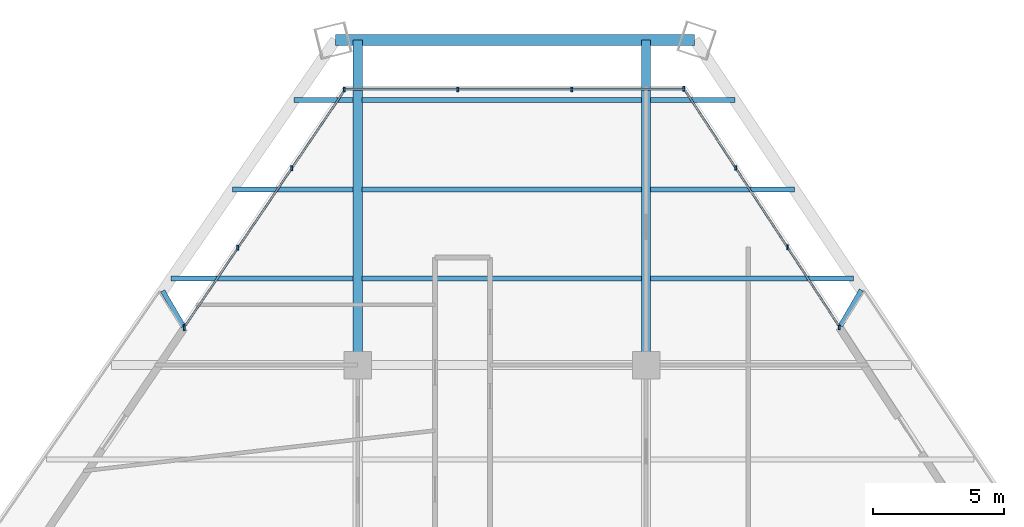
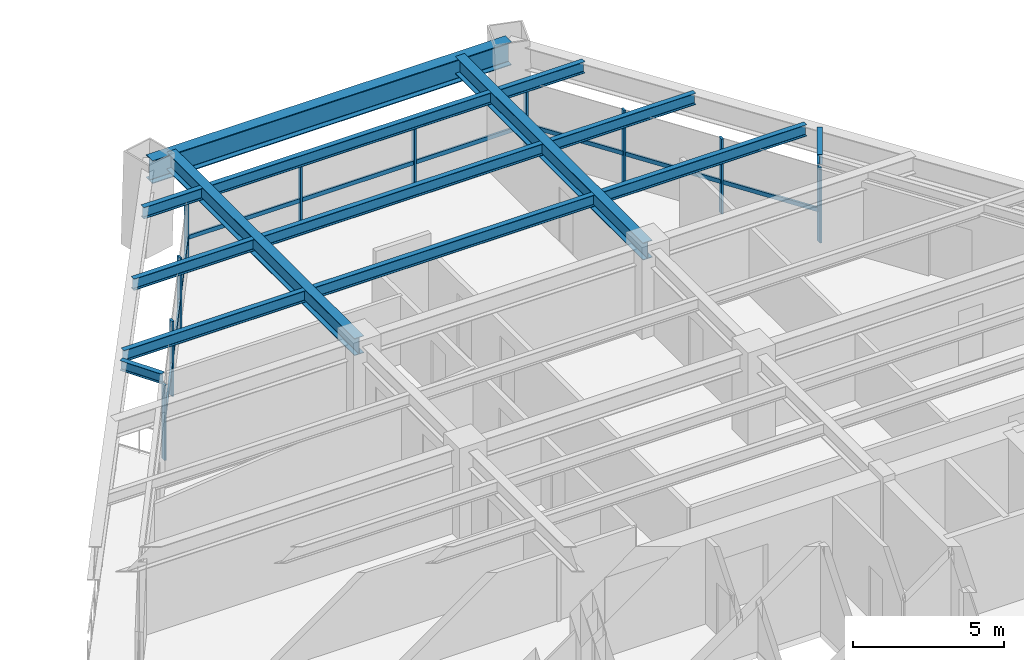
# One storey, part 8 of 14: 20 members, 14 beams, 3 elements without a shape of their own.
"""IFC4 building model written with IfcOpenShell, lengths in metres."""

from ifc_helpers import new_model, si_unit, direction, frame, origin, origin_2d, place, context, subcontext, project, spatial, rectangle, i_section, extrude, source, transform, mapped, material, material_profile, profile_set, type_object, type_shapes, element, aggregate, save


model = new_model("IFC4")

# Units and contexts
model_context = context("Model", 3, precision=1e-05, world=origin(), true_north=direction((0.0, 1.0)))
body_context = subcontext(model_context, "Body", "Model", "MODEL_VIEW")
ifc_project = project(units=[si_unit("LENGTHUNIT", "METRE"), si_unit("AREAUNIT", "SQUARE_METRE"), si_unit("VOLUMEUNIT", "CUBIC_METRE"), si_unit("PLANEANGLEUNIT", "RADIAN"), si_unit("MASSUNIT", "GRAM", prefix="KILO")], contexts=[model_context])

# Site, building, storey
site_placement = place(None, origin())
site = spatial("IfcSite", under=ifc_project, at=site_placement, CompositionType="ELEMENT")
building_placement = place(site_placement, origin())
building = spatial("IfcBuilding", under=site, at=building_placement, Name="Varnakhor Terracotta Tower", CompositionType="ELEMENT")
storey_placement = place(building_placement, frame((0.0, 0.0, 80.300048828125)))
storey = spatial("IfcBuildingStorey", under=building, at=storey_placement, Name="L19", CompositionType="ELEMENT", Elevation=80.300048828125)

# Beams
ifc_material_1 = material(Name="Steel S355", Category="steel")
ifc_material_profile_1 = material_profile(ifc_material_1, i_section(OverallWidth=0.19189453125, OverallDepth=0.462890625, WebThickness=0.010498046875, FlangeThickness=0.017578125, FilletRadius=0.01806640625, at=origin_2d()), Name="W18X60")
ifc_profile_set_1 = profile_set([ifc_material_profile_1], Name="Steel S355")
beam_type_1 = type_object("IfcBeamType", Name="JST-W18X60", PredefinedType="JOIST", material=ifc_profile_set_1)
shared_shape_1 = source(origin(), body_context, "Body", "SweptSolid", [
    extrude(i_section(OverallWidth=0.19189453125, OverallDepth=0.462890625, WebThickness=0.010498046875, FlangeThickness=0.017578125, FilletRadius=0.01806640625, at=origin_2d()), origin(), (0.0, 0.0, 1.0), 10.65283203125),
])
for number, where, z_axis, x_axis, name in (
    (1, (-5.326416015625, 34.800048828125, 3.218505859375), (1.0, 0.0, 0.0), (0.0, 1.0, 0.0), "L19 Composite Floor Joist 7-2"),
    (2, (-5.326416015625, 38.199951171875, 3.218505859375), (1.0, 0.0, 0.0), (0.0, 1.0, 0.0), "L19 Composite Floor Joist 8-2"),
    (3, (-5.326416015625, 41.60009765625, 3.218505859375), (1.0, 0.0, 0.0), (0.0, 1.0, 0.0), "L19 Composite Floor Joist 9-2"),
):
    element("IfcBeam", number, at=place(storey_placement, frame(where, z_axis=z_axis, x_axis=x_axis)), inside=storey, type_object=beam_type_1, Name=name, PredefinedType="JOIST", context=body_context, shape_type="MappedRepresentation", body=[
        mapped(shared_shape_1, transform((0.0, 0.0, 0.0), scale=1.0)),
    ])
ifc_material_profile_2 = material_profile(ifc_material_1, i_section(OverallWidth=0.41796875, OverallDepth=0.927001953125, WebThickness=0.01904296875, FlangeThickness=0.031982421875, FilletRadius=0.01806640625, at=origin_2d()), Name="W36X231")
ifc_profile_set_2 = profile_set([ifc_material_profile_2], Name="Steel S355")
beam_type_2 = type_object("IfcBeamType", Name="BM-W36X231", PredefinedType="BEAM", material=ifc_profile_set_2)
shared_shape_2 = source(origin(), body_context, "Body", "SweptSolid", [
    extrude(i_section(OverallWidth=0.41796875, OverallDepth=0.927001953125, WebThickness=0.01904296875, FlangeThickness=0.031982421875, FilletRadius=0.01806640625, at=origin_2d()), origin(), (0.0, 0.0, 1.0), 13.689697265625),
])
beam_1_placement = place(storey_placement, frame((7.35400390625, 43.902587890625, 2.986572265625), z_axis=(-1.0, 0.0, 0.0), x_axis=(0.0, -1.0, 0.0)))
element("IfcBeam", 4, at=beam_1_placement, inside=storey, type_object=beam_type_2, Name="L19 Perimeter Spandrel 5", PredefinedType="BEAM", context=body_context, shape_type="MappedRepresentation", body=[
    mapped(shared_shape_2, transform((0.0, 0.0, 0.0), scale=1.0)),
])
ifc_material_profile_3 = material_profile(ifc_material_1, i_section(OverallWidth=0.35498046875, OverallDepth=0.695068359375, WebThickness=0.014892578125, FlangeThickness=0.02490234375, FilletRadius=0.01806640625, at=origin_2d()), Name="W27X146")
ifc_profile_set_3 = profile_set([ifc_material_profile_3], Name="Steel S355")
beam_type_3 = type_object("IfcBeamType", Name="BM-W27X146", PredefinedType="BEAM", material=ifc_profile_set_3)
shared_shape_3 = source(origin(), body_context, "Body", "SweptSolid", [
    extrude(i_section(OverallWidth=0.35498046875, OverallDepth=0.695068359375, WebThickness=0.014892578125, FlangeThickness=0.02490234375, FilletRadius=0.01806640625, at=origin_2d()), origin(), (0.0, 0.0, 1.0), 12.402587890625),
])
for number, where, z_axis, x_axis, name in (
    (5, (-5.5, 31.5, 3.1025390625), (0.0, 1.0, 0.0), (-1.0, 0.0, 0.0), "L19 Primary Girder NS3-W"),
    (6, (5.5, 31.5, 3.1025390625), (0.0, 1.0, 0.0), (-1.0, 0.0, 0.0), "L19 Primary Girder NS3-E"),
):
    element("IfcBeam", number, at=place(storey_placement, frame(where, z_axis=z_axis, x_axis=x_axis)), inside=storey, type_object=beam_type_3, Name=name, PredefinedType="BEAM", context=body_context, shape_type="MappedRepresentation", body=[
        mapped(shared_shape_3, transform((0.0, 0.0, 0.0), scale=1.0)),
    ])
shared_shape_4 = source(origin(), body_context, "Body", "SweptSolid", [
    extrude(i_section(OverallWidth=0.19189453125, OverallDepth=0.462890625, WebThickness=0.010498046875, FlangeThickness=0.017578125, FilletRadius=0.01806640625, at=origin_2d()), origin(), (0.0, 0.0, 1.0), 6.939208984375),
])
beam_2_placement = place(storey_placement, frame((-12.61279296875, 34.800048828125, 3.218505859375), z_axis=(1.0, 0.0, 0.0), x_axis=(0.0, 1.0, 0.0)))
element("IfcBeam", 7, at=beam_2_placement, inside=storey, type_object=beam_type_1, Name="L19 Composite Floor Joist 7-1", PredefinedType="JOIST", context=body_context, shape_type="MappedRepresentation", body=[
    mapped(shared_shape_4, transform((0.0, 0.0, 0.0), scale=1.0)),
])
shared_shape_5 = source(origin(), body_context, "Body", "SweptSolid", [
    extrude(i_section(OverallWidth=0.19189453125, OverallDepth=0.462890625, WebThickness=0.010498046875, FlangeThickness=0.017578125, FilletRadius=0.01806640625, at=origin_2d()), origin(), (0.0, 0.0, 1.0), 7.746337890625),
])
beam_3_placement = place(storey_placement, frame((5.673583984375, 34.800048828125, 3.218505859375), z_axis=(1.0, 0.0, 0.0), x_axis=(0.0, 1.0, 0.0)))
element("IfcBeam", 8, at=beam_3_placement, inside=storey, type_object=beam_type_1, Name="L19 Composite Floor Joist 7-3", PredefinedType="JOIST", context=body_context, shape_type="MappedRepresentation", body=[
    mapped(shared_shape_5, transform((0.0, 0.0, 0.0), scale=1.0)),
])
shared_shape_6 = source(origin(), body_context, "Body", "SweptSolid", [
    extrude(i_section(OverallWidth=0.19189453125, OverallDepth=0.462890625, WebThickness=0.010498046875, FlangeThickness=0.017578125, FilletRadius=0.01806640625, at=origin_2d()), origin(), (0.0, 0.0, 1.0), 4.594482421875),
])
beam_4_placement = place(storey_placement, frame((-10.26806640625, 38.199951171875, 3.218505859375), z_axis=(1.0, 0.0, 0.0), x_axis=(0.0, 1.0, 0.0)))
element("IfcBeam", 9, at=beam_4_placement, inside=storey, type_object=beam_type_1, Name="L19 Composite Floor Joist 8-1", PredefinedType="JOIST", context=body_context, shape_type="MappedRepresentation", body=[
    mapped(shared_shape_6, transform((0.0, 0.0, 0.0), scale=1.0)),
])
shared_shape_7 = source(origin(), body_context, "Body", "SweptSolid", [
    extrude(i_section(OverallWidth=0.19189453125, OverallDepth=0.462890625, WebThickness=0.010498046875, FlangeThickness=0.017578125, FilletRadius=0.01806640625, at=origin_2d()), origin(), (0.0, 0.0, 1.0), 5.480712890625),
])
beam_5_placement = place(storey_placement, frame((5.673583984375, 38.199951171875, 3.218505859375), z_axis=(1.0, 0.0, 0.0), x_axis=(0.0, 1.0, 0.0)))
element("IfcBeam", 10, at=beam_5_placement, inside=storey, type_object=beam_type_1, Name="L19 Composite Floor Joist 8-3", PredefinedType="JOIST", context=body_context, shape_type="MappedRepresentation", body=[
    mapped(shared_shape_7, transform((0.0, 0.0, 0.0), scale=1.0)),
])
shared_shape_8 = source(origin(), body_context, "Body", "SweptSolid", [
    extrude(i_section(OverallWidth=0.19189453125, OverallDepth=0.462890625, WebThickness=0.010498046875, FlangeThickness=0.017578125, FilletRadius=0.01806640625, at=origin_2d()), origin(), (0.0, 0.0, 1.0), 2.249755859375),
])
beam_6_placement = place(storey_placement, frame((-7.92333984375, 41.60009765625, 3.218505859375), z_axis=(1.0, 0.0, 0.0), x_axis=(0.0, 1.0, 0.0)))
element("IfcBeam", 11, at=beam_6_placement, inside=storey, type_object=beam_type_1, Name="L19 Composite Floor Joist 9-1", PredefinedType="JOIST", context=body_context, shape_type="MappedRepresentation", body=[
    mapped(shared_shape_8, transform((0.0, 0.0, 0.0), scale=1.0)),
])
shared_shape_9 = source(origin(), body_context, "Body", "SweptSolid", [
    extrude(i_section(OverallWidth=0.19189453125, OverallDepth=0.462890625, WebThickness=0.010498046875, FlangeThickness=0.017578125, FilletRadius=0.01806640625, at=origin_2d()), origin(), (0.0, 0.0, 1.0), 3.21484375),
])
beam_7_placement = place(storey_placement, frame((5.673583984375, 41.60009765625, 3.218505859375), z_axis=(1.0, 0.0, 0.0), x_axis=(0.0, 1.0, 0.0)))
element("IfcBeam", 12, at=beam_7_placement, inside=storey, type_object=beam_type_1, Name="L19 Composite Floor Joist 9-3", PredefinedType="JOIST", context=body_context, shape_type="MappedRepresentation", body=[
    mapped(shared_shape_9, transform((0.0, 0.0, 0.0), scale=1.0)),
])

# Curtain wall, members
ifc_material_2 = material(Name="Anodised Aluminium Curtain Wall System", Category="aluminium")
curtain_wall_type = type_object("IfcCurtainWallType", Name="CW-SYS-LOW-OFFICE", PredefinedType="NOTDEFINED", material=ifc_material_2)
curtain_wall_1_placement = place(storey_placement, origin())
curtain_wall_1 = element("IfcCurtainWall", 13, at=curtain_wall_1_placement, inside=storey, type_object=curtain_wall_type, Name="L19 W Facet Curtain Wall 2", PredefinedType="NOTDEFINED")
ifc_material_3 = material(Name="Anodised Aluminium 6063-T6", Category="aluminium")
ifc_material_profile_4 = material_profile(ifc_material_3, rectangle(XDim=0.074951171875, YDim=0.18505859375, at=origin_2d()), Name="ALU MULLION 75x185")
ifc_profile_set_4 = profile_set([ifc_material_profile_4], Name="Anodised Aluminium 6063-T6")
member_type_1 = type_object("IfcMemberType", Name="CWM-02", PredefinedType="MULLION", material=ifc_profile_set_4)
shared_shape_10 = source(origin(), body_context, "Body", "SweptSolid", [
    extrude(rectangle(XDim=0.074951171875, YDim=0.18505859375, at=origin_2d()), origin(), (0.0, 0.0, 1.0), 3.030029296875),
])
type_shapes(member_type_1, [shared_shape_10])
member_1_placement = place(storey_placement, frame((-12.11572265625, 32.936767578125, 0.0), z_axis=(0.0, 0.0, 1.0), x_axis=(1.0, 0.0, 0.0)))
member_1 = element("IfcMember", 14, at=member_1_placement, type_object=member_type_1, Name="L19 W Facet Curtain Wall 2 Mullion 1", PredefinedType="MULLION", context=body_context, shape_type="MappedRepresentation", body=[
    mapped(shared_shape_10, transform((0.0, 0.0, 0.0), scale=1.0)),
])
member_2_placement = place(storey_placement, frame((-10.06298828125, 35.970458984375, 0.0), z_axis=(0.0, 0.0, 1.0), x_axis=(1.0, 0.0, 0.0)))
member_2 = element("IfcMember", 15, at=member_2_placement, type_object=member_type_1, Name="L19 W Facet Curtain Wall 2 Mullion 2", PredefinedType="MULLION", context=body_context, shape_type="MappedRepresentation", body=[
    mapped(shared_shape_10, transform((0.0, 0.0, 0.0), scale=1.0)),
])
member_3_placement = place(storey_placement, frame((-8.010009765625, 39.004150390625, 0.0), z_axis=(0.0, 0.0, 1.0), x_axis=(1.0, 0.0, 0.0)))
member_3 = element("IfcMember", 16, at=member_3_placement, type_object=member_type_1, Name="L19 W Facet Curtain Wall 2 Mullion 3", PredefinedType="MULLION", context=body_context, shape_type="MappedRepresentation", body=[
    mapped(shared_shape_10, transform((0.0, 0.0, 0.0), scale=1.0)),
])
member_4_placement = place(storey_placement, frame((-12.115966796875, 32.900634765625, 0.0), z_axis=(0.0, 0.0, 1.0), x_axis=(1.0, 0.0, 0.0)))
member_4 = element("IfcMember", 17, at=member_4_placement, type_object=member_type_1, Name="L19 W Loggia Jamb Closure Mullion 2", PredefinedType="MULLION", context=body_context, shape_type="MappedRepresentation", body=[
    mapped(shared_shape_10, transform((0.0, 0.0, 0.0), scale=1.0)),
])

curtain_wall_2_placement = place(storey_placement, origin())
curtain_wall_2 = element("IfcCurtainWall", 18, at=curtain_wall_2_placement, inside=storey, type_object=curtain_wall_type, Name="L19 Facet Curtain Wall 2", PredefinedType="NOTDEFINED")
member_5_placement = place(storey_placement, frame((-6.009765625, 42.010009765625, 0.0), z_axis=(0.0, 0.0, 1.0), x_axis=(1.0, 0.0, 0.0)))
member_5 = element("IfcMember", 19, at=member_5_placement, type_object=member_type_1, Name="L19 Facet Curtain Wall 2 Mullion 1", PredefinedType="MULLION", context=body_context, shape_type="MappedRepresentation", body=[
    mapped(shared_shape_10, transform((0.0, 0.0, 0.0), scale=1.0)),
])
member_6_placement = place(storey_placement, frame((-1.673828125, 42.010009765625, 0.0), z_axis=(0.0, 0.0, 1.0), x_axis=(1.0, 0.0, 0.0)))
member_6 = element("IfcMember", 20, at=member_6_placement, type_object=member_type_1, Name="L19 Facet Curtain Wall 2 Mullion 2", PredefinedType="MULLION", context=body_context, shape_type="MappedRepresentation", body=[
    mapped(shared_shape_10, transform((0.0, 0.0, 0.0), scale=1.0)),
])
member_7_placement = place(storey_placement, frame((2.661865234375, 42.010009765625, 0.0), z_axis=(0.0, 0.0, 1.0), x_axis=(1.0, 0.0, 0.0)))
member_7 = element("IfcMember", 21, at=member_7_placement, type_object=member_type_1, Name="L19 Facet Curtain Wall 2 Mullion 3", PredefinedType="MULLION", context=body_context, shape_type="MappedRepresentation", body=[
    mapped(shared_shape_10, transform((0.0, 0.0, 0.0), scale=1.0)),
])

curtain_wall_3_placement = place(storey_placement, origin())
curtain_wall_3 = element("IfcCurtainWall", 22, at=curtain_wall_3_placement, inside=storey, type_object=curtain_wall_type, Name="L19 E Facet Curtain Wall 1", PredefinedType="NOTDEFINED")
member_8_placement = place(storey_placement, frame((6.943603515625, 42.039306640625, 0.0), z_axis=(0.0, 0.0, 1.0), x_axis=(1.0, 0.0, 0.0)))
member_8 = element("IfcMember", 23, at=member_8_placement, type_object=member_type_1, Name="L19 E Facet Curtain Wall 1 Mullion 1", PredefinedType="MULLION", context=body_context, shape_type="MappedRepresentation", body=[
    mapped(shared_shape_10, transform((0.0, 0.0, 0.0), scale=1.0)),
])
member_9_placement = place(storey_placement, frame((8.91943359375, 39.014404296875, 0.0), z_axis=(0.0, 0.0, 1.0), x_axis=(1.0, 0.0, 0.0)))
member_9 = element("IfcMember", 24, at=member_9_placement, type_object=member_type_1, Name="L19 E Facet Curtain Wall 1 Mullion 2", PredefinedType="MULLION", context=body_context, shape_type="MappedRepresentation", body=[
    mapped(shared_shape_10, transform((0.0, 0.0, 0.0), scale=1.0)),
])
member_10_placement = place(storey_placement, frame((10.895263671875, 35.98974609375, 0.0), z_axis=(0.0, 0.0, 1.0), x_axis=(1.0, 0.0, 0.0)))
member_10 = element("IfcMember", 25, at=member_10_placement, type_object=member_type_1, Name="L19 E Facet Curtain Wall 1 Mullion 3", PredefinedType="MULLION", context=body_context, shape_type="MappedRepresentation", body=[
    mapped(shared_shape_10, transform((0.0, 0.0, 0.0), scale=1.0)),
])
member_11_placement = place(storey_placement, frame((12.870849609375, 32.928955078125, 0.0), z_axis=(0.0, 0.0, 1.0), x_axis=(1.0, 0.0, 0.0)))
member_11 = element("IfcMember", 26, at=member_11_placement, type_object=member_type_1, Name="L19 E Loggia Jamb Closure Mullion 1", PredefinedType="MULLION", context=body_context, shape_type="MappedRepresentation", body=[
    mapped(shared_shape_10, transform((0.0, 0.0, 0.0), scale=1.0)),
])

# Member
ifc_material_profile_5 = material_profile(ifc_material_3, rectangle(XDim=0.074951171875, YDim=0.1650390625, at=origin_2d()), Name="ALU TRANSOM 75x165")
ifc_profile_set_5 = profile_set([ifc_material_profile_5], Name="Anodised Aluminium 6063-T6")
member_type_2 = type_object("IfcMemberType", Name="CWT-02", PredefinedType="USERDEFINED", material=ifc_profile_set_5)
shared_shape_11 = source(origin(), body_context, "Body", "SweptSolid", [
    extrude(rectangle(XDim=0.074951171875, YDim=0.1650390625, at=origin_2d()), origin(), (0.0, 0.0, 1.0), 3.662841796875),
])
member_12_placement = place(storey_placement, frame((-12.11572265625, 32.936767578125, 1.2724609375), z_axis=(0.560408886564, 0.828216082831, 0.0), x_axis=(-0.828216082831, 0.560408886564, 0.0)))
member_12 = element("IfcMember", 27, at=member_12_placement, type_object=member_type_2, Name="L19 W Facet Curtain Wall 2 Transom 1", ObjectType="TRANSOM", PredefinedType="USERDEFINED", context=body_context, shape_type="MappedRepresentation", body=[
    mapped(shared_shape_11, transform((0.0, 0.0, 0.0), scale=1.0)),
])

member_13_placement = place(storey_placement, frame((-8.010009765625, 39.004150390625, 1.2724609375), z_axis=(0.560408886564, 0.828216082831, 0.0), x_axis=(-0.828216082831, 0.560408886564, 0.0)))
member_13 = element("IfcMember", 28, at=member_13_placement, type_object=member_type_2, Name="L19 W Facet Curtain Wall 2 Transom 3", ObjectType="TRANSOM", PredefinedType="USERDEFINED", context=body_context, shape_type="MappedRepresentation", body=[
    mapped(shared_shape_11, transform((0.0, 0.0, 0.0), scale=1.0)),
])

shared_shape_12 = source(origin(), body_context, "Body", "SweptSolid", [
    extrude(rectangle(XDim=0.074951171875, YDim=0.1650390625, at=origin_2d()), origin(), (0.0, 0.0, 1.0), 3.6630859375),
])
member_14_placement = place(storey_placement, frame((-10.06298828125, 35.970458984375, 1.2724609375), z_axis=(0.560454603308, 0.828185146951, 0.0), x_axis=(-0.828185146951, 0.560454603308, 0.0)))
member_14 = element("IfcMember", 29, at=member_14_placement, type_object=member_type_2, Name="L19 W Facet Curtain Wall 2 Transom 2", ObjectType="TRANSOM", PredefinedType="USERDEFINED", context=body_context, shape_type="MappedRepresentation", body=[
    mapped(shared_shape_12, transform((0.0, 0.0, 0.0), scale=1.0)),
])

aggregate(curtain_wall_1, [member_1, member_12, member_2, member_14, member_3, member_13, member_4])

shared_shape_13 = source(origin(), body_context, "Body", "SweptSolid", [
    extrude(rectangle(XDim=0.074951171875, YDim=0.1650390625, at=origin_2d()), origin(), (0.0, 0.0, 1.0), 4.3359375),
])
member_15_placement = place(storey_placement, frame((-6.009765625, 42.010009765625, 1.2724609375), z_axis=(1.0, 0.0, 0.0), x_axis=(0.0, 1.0, 0.0)))
member_15 = element("IfcMember", 30, at=member_15_placement, type_object=member_type_2, Name="L19 Facet Curtain Wall 2 Transom 1", ObjectType="TRANSOM", PredefinedType="USERDEFINED", context=body_context, shape_type="MappedRepresentation", body=[
    mapped(shared_shape_13, transform((0.0, 0.0, 0.0), scale=1.0)),
])

member_16_placement = place(storey_placement, frame((2.661865234375, 42.010009765625, 1.2724609375), z_axis=(1.0, 0.0, 0.0), x_axis=(0.0, 1.0, 0.0)))
member_16 = element("IfcMember", 31, at=member_16_placement, type_object=member_type_2, Name="L19 Facet Curtain Wall 2 Transom 3", ObjectType="TRANSOM", PredefinedType="USERDEFINED", context=body_context, shape_type="MappedRepresentation", body=[
    mapped(shared_shape_13, transform((0.0, 0.0, 0.0), scale=1.0)),
])

shared_shape_14 = source(origin(), body_context, "Body", "SweptSolid", [
    extrude(rectangle(XDim=0.074951171875, YDim=0.1650390625, at=origin_2d()), origin(), (0.0, 0.0, 1.0), 4.335693359375),
])
member_17_placement = place(storey_placement, frame((-1.673828125, 42.010009765625, 1.2724609375), z_axis=(1.0, 0.0, 0.0), x_axis=(0.0, 1.0, 0.0)))
member_17 = element("IfcMember", 32, at=member_17_placement, type_object=member_type_2, Name="L19 Facet Curtain Wall 2 Transom 2", ObjectType="TRANSOM", PredefinedType="USERDEFINED", context=body_context, shape_type="MappedRepresentation", body=[
    mapped(shared_shape_14, transform((0.0, 0.0, 0.0), scale=1.0)),
])

aggregate(curtain_wall_2, [member_5, member_15, member_6, member_17, member_7, member_16])

shared_shape_15 = source(origin(), body_context, "Body", "SweptSolid", [
    extrude(rectangle(XDim=0.074951171875, YDim=0.1650390625, at=origin_2d()), origin(), (0.0, 0.0, 1.0), 3.613037109375),
])
member_18_placement = place(storey_placement, frame((6.943603515625, 42.039306640625, 1.2724609375), z_axis=(0.546863336915, -0.837221888592, 0.0), x_axis=(0.837221888592, 0.546863336915, 0.0)))
member_18 = element("IfcMember", 33, at=member_18_placement, type_object=member_type_2, Name="L19 E Facet Curtain Wall 1 Transom 1", ObjectType="TRANSOM", PredefinedType="USERDEFINED", context=body_context, shape_type="MappedRepresentation", body=[
    mapped(shared_shape_15, transform((0.0, 0.0, 0.0), scale=1.0)),
])

shared_shape_16 = source(origin(), body_context, "Body", "SweptSolid", [
    extrude(rectangle(XDim=0.074951171875, YDim=0.1650390625, at=origin_2d()), origin(), (0.0, 0.0, 1.0), 3.61279296875),
])
member_19_placement = place(storey_placement, frame((8.91943359375, 39.014404296875, 1.2724609375), z_axis=(0.546894276037, -0.837201678712, 0.0), x_axis=(0.837201678712, 0.546894276037, 0.0)))
member_19 = element("IfcMember", 34, at=member_19_placement, type_object=member_type_2, Name="L19 E Facet Curtain Wall 1 Transom 2", ObjectType="TRANSOM", PredefinedType="USERDEFINED", context=body_context, shape_type="MappedRepresentation", body=[
    mapped(shared_shape_16, transform((0.0, 0.0, 0.0), scale=1.0)),
])

member_20_placement = place(storey_placement, frame((10.895263671875, 35.98974609375, 1.2724609375), z_axis=(0.546894276037, -0.837201678712, 0.0), x_axis=(0.837201678712, 0.546894276037, 0.0)))
member_20 = element("IfcMember", 35, at=member_20_placement, type_object=member_type_2, Name="L19 E Facet Curtain Wall 1 Transom 3", ObjectType="TRANSOM", PredefinedType="USERDEFINED", context=body_context, shape_type="MappedRepresentation", body=[
    mapped(shared_shape_16, transform((0.0, 0.0, 0.0), scale=1.0)),
])

aggregate(curtain_wall_3, [member_8, member_18, member_9, member_19, member_10, member_20, member_11])

# Beams
ifc_material_profile_6 = material_profile(ifc_material_1, i_section(OverallWidth=0.179931640625, OverallDepth=0.39990234375, WebThickness=0.008544921875, FlangeThickness=0.013427734375, FilletRadius=0.01806640625, at=origin_2d()), Name="IPE400")
ifc_profile_set_6 = profile_set([ifc_material_profile_6], Name="Steel S355")
beam_type_4 = type_object("IfcBeamType", Name="JST-IPE400", PredefinedType="JOIST", material=ifc_profile_set_6)
shared_shape_17 = source(origin(), body_context, "Body", "SweptSolid", [
    extrude(i_section(OverallWidth=0.179931640625, OverallDepth=0.39990234375, WebThickness=0.008544921875, FlangeThickness=0.013427734375, FilletRadius=0.01806640625, at=origin_2d()), origin(), (0.0, 0.0, 1.0), 1.5849609375),
])
beam_8_placement = place(storey_placement, frame((12.913818359375, 32.99072265625, 3.25), z_axis=(0.504790193285, 0.863242063829, 0.0), x_axis=(-0.863242063829, 0.504790193285, 0.0)))
element("IfcBeam", 36, at=beam_8_placement, inside=storey, type_object=beam_type_4, Name="L20 E Loggia Tie Beam 1", PredefinedType="JOIST", context=body_context, shape_type="MappedRepresentation", body=[
    mapped(shared_shape_17, transform((0.0, 0.0, 0.0), scale=1.0)),
])
shared_shape_18 = source(origin(), body_context, "Body", "SweptSolid", [
    extrude(i_section(OverallWidth=0.179931640625, OverallDepth=0.39990234375, WebThickness=0.008544921875, FlangeThickness=0.013427734375, FilletRadius=0.01806640625, at=origin_2d()), origin(), (0.0, 0.0, 1.0), 1.58447265625),
])
beam_9_placement = place(storey_placement, frame((-12.1357421875, 32.962646484375, 3.25), z_axis=(-0.50588162752, 0.862602909187, 0.0), x_axis=(-0.862602909187, -0.50588162752, 0.0)))
element("IfcBeam", 37, at=beam_9_placement, inside=storey, type_object=beam_type_4, Name="L20 W Loggia Tie Beam 2", PredefinedType="JOIST", context=body_context, shape_type="MappedRepresentation", body=[
    mapped(shared_shape_18, transform((0.0, 0.0, 0.0), scale=1.0)),
])

save(model, "model.ifc")
